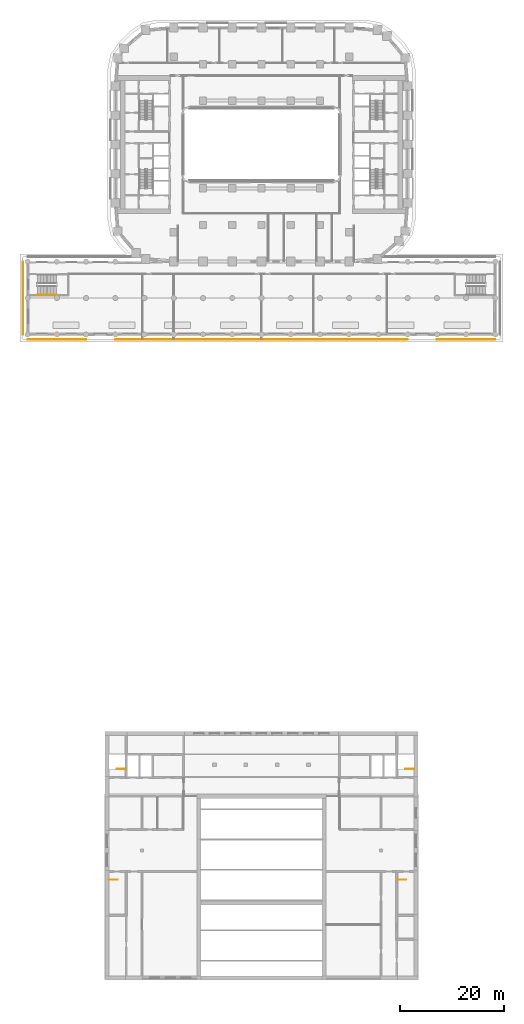
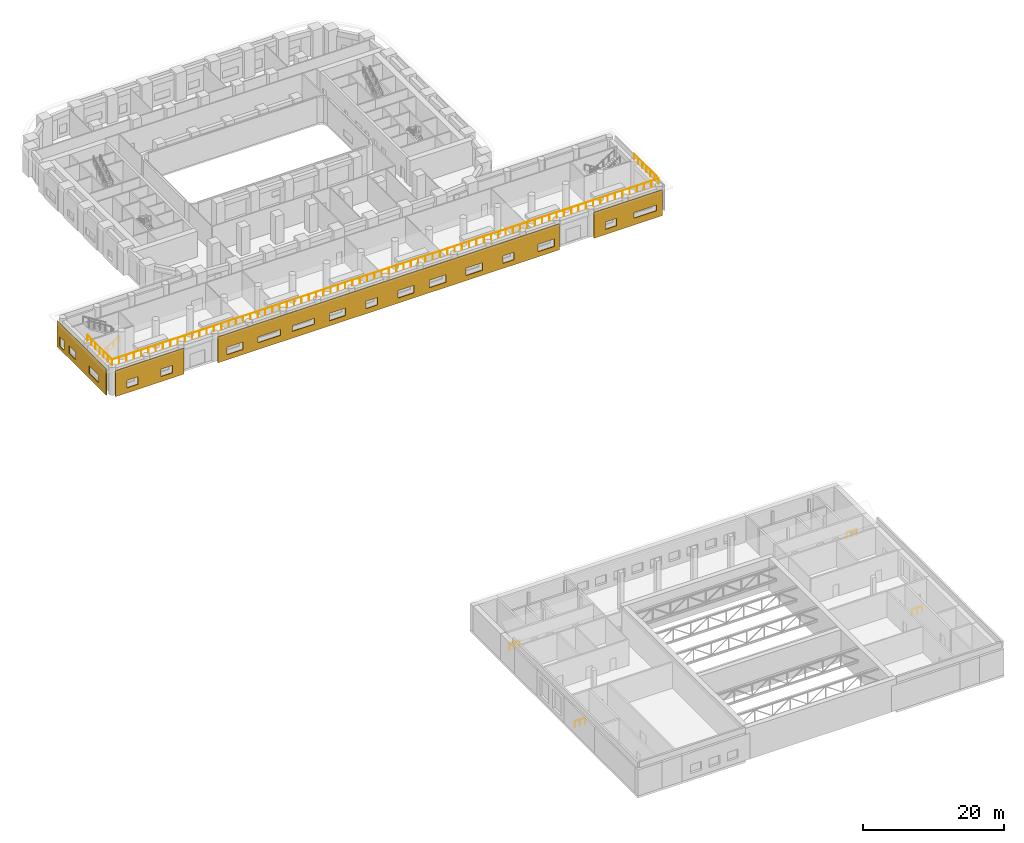
# One storey, part 28 of 35: 6 railings, 4 coverings.
"""IFC4 building model written with IfcOpenShell, lengths in metres."""

import ifcopenshell
import ifcopenshell.guid

model = None  # the IFC model being written
_history = None  # IfcOwnerHistory: only IFC2X3 demands one
_inside = {}  # id of a spatial element -> (the spatial element, [elements in it])
_under = {}  # id of a project, library or spatial element -> (it, [spatial elements below it])
_declared = {}  # id of a project -> (the project, [libraries it declares])
_typed = {}  # id of a type object -> (the type object, [elements of that type])
_made_of = {}  # id of a material, layer set ... -> (it, [elements and type objects made of it])


def new_model(schema):
    """Start an empty IFC model of exactly this schema.

    Asked for "IFC4X3", IfcOpenShell would pick the latest addendum, in which some entities
    have other attributes; the version numbers below select the first issue.
    IFC2X3 requires an IfcOwnerHistory on every rooted entity: one is made here for all.
    """
    global model, _history
    if schema == "IFC4X3":
        model = ifcopenshell.file(schema_version=(4, 3, 0, 0))
    else:
        model = ifcopenshell.file(schema=schema)
    _inside.clear()
    _under.clear()
    _declared.clear()
    _typed.clear()
    _made_of.clear()
    _history = None
    if model.schema == "IFC2X3":
        org = make("IfcOrganization", Name="unknown")
        user = make(
            "IfcPersonAndOrganization",
            ThePerson=make("IfcPerson", FamilyName="unknown"),
            TheOrganization=org,
        )
        app = make(
            "IfcApplication",
            ApplicationDeveloper=org,
            Version="unknown",
            ApplicationFullName="unknown",
            ApplicationIdentifier="unknown",
        )
        _history = make(
            "IfcOwnerHistory",
            OwningUser=user,
            OwningApplication=app,
            ChangeAction="ADDED",
            CreationDate=0,
        )
    return model


def make(cls, **values):
    """One entity of the class cls with the attributes given. An attribute that is None is left unset."""
    return model.create_entity(
        cls, **{name: value for name, value in values.items() if value is not None}
    )


def rooted(cls, **values):
    """An entity with a GlobalId (a new one), such as an element, a storey or a relation."""
    return make(cls, GlobalId=ifcopenshell.guid.new(), OwnerHistory=_history, **values)


def si_unit(unit_type, name, prefix=None):
    """IfcSIUnit, for example si_unit("LENGTHUNIT", "METRE", prefix="MILLI")."""
    return make("IfcSIUnit", UnitType=unit_type, Prefix=prefix, Name=name)


def assignment(units):
    """IfcUnitAssignment: the units of a project."""
    return None if units is None else make("IfcUnitAssignment", Units=units)


def point(xyz):
    """IfcCartesianPoint."""
    return None if xyz is None else make("IfcCartesianPoint", Coordinates=xyz)


def direction(xyz):
    """IfcDirection."""
    return None if xyz is None else make("IfcDirection", DirectionRatios=xyz)


def frame(location, z_axis=None, x_axis=None):
    """IfcAxis2Placement3D, a coordinate frame: its origin and axes. An axis left out is left unset."""
    return make(
        "IfcAxis2Placement3D",
        Location=point(location),
        Axis=direction(z_axis),
        RefDirection=direction(x_axis),
    )


def frame_2d(location, x_axis=None):
    """IfcAxis2Placement2D, a coordinate frame in the plane: its origin and x axis."""
    return make(
        "IfcAxis2Placement2D", Location=point(location), RefDirection=direction(x_axis)
    )


def origin():
    """The frame at (0, 0, 0) with its axes left unset."""
    return frame((0.0, 0.0, 0.0))


def origin_2d():
    """The frame at (0, 0) in the plane with its x axis left unset."""
    return frame_2d((0.0, 0.0))


def place(relative_to, where):
    """IfcLocalPlacement: puts the frame where relative to a parent placement (None: the world)."""
    return make(
        "IfcLocalPlacement", PlacementRelTo=relative_to, RelativePlacement=where
    )


def context(
    kind, dimensions, precision=None, world=None, true_north=None, identifier=None
):
    """IfcGeometricRepresentationContext, for example the 3D "Model" context."""
    return make(
        "IfcGeometricRepresentationContext",
        ContextIdentifier=identifier,
        ContextType=kind,
        CoordinateSpaceDimension=dimensions,
        Precision=precision,
        WorldCoordinateSystem=world,
        TrueNorth=true_north,
    )


def subcontext(parent, identifier, kind, view, scale=None):
    """IfcGeometricRepresentationSubContext, for example "Body" below "Model"."""
    return make(
        "IfcGeometricRepresentationSubContext",
        ContextIdentifier=identifier,
        ContextType=kind,
        ParentContext=parent,
        TargetScale=scale,
        TargetView=view,
    )


def project(units=None, contexts=None):
    """IfcProject with its units and contexts."""
    return rooted(
        "IfcProject",
        Name="project",
        RepresentationContexts=contexts,
        UnitsInContext=assignment(units),
    )


def spatial(cls, under=None, at=None, **own):
    """A site, building, storey or space (cls), placed at a placement, below another one or the project."""
    s = rooted(cls, ObjectPlacement=at, **own)
    if under is not None:
        _under.setdefault(under.id(), (under, []))[1].append(s)
    return s


def polyline(points):
    """IfcPolyline through the points."""
    return make("IfcPolyline", Points=[point(p) for p in points])


def profile(cls, at=None, kind="AREA", **sizes):
    """A parametric profile (cls). Its sizes go by their IFC names, for example OverallWidth=200.0."""
    return make(cls, ProfileType=kind, Position=at, **sizes)


def circle(**sizes):
    """IfcCircleProfileDef."""
    return profile("IfcCircleProfileDef", **sizes)


def outline(outer, holes=None, kind="AREA"):
    """IfcArbitraryClosedProfileDef: a profile drawn as a closed curve; with holes, ...WithVoids."""
    if holes is None:
        return make("IfcArbitraryClosedProfileDef", ProfileType=kind, OuterCurve=outer)
    return make(
        "IfcArbitraryProfileDefWithVoids",
        ProfileType=kind,
        OuterCurve=outer,
        InnerCurves=holes,
    )


def extrude(swept, where, along, depth):
    """IfcExtrudedAreaSolid: the profile swept, set in the frame where, extruded along a direction by depth."""
    return make(
        "IfcExtrudedAreaSolid",
        SweptArea=swept,
        Position=where,
        ExtrudedDirection=direction(along),
        Depth=depth,
    )


def shape(context_of_items, identifier, shape_type, items):
    """IfcShapeRepresentation: the items that make up one representation, for example the "Body"."""
    return make(
        "IfcShapeRepresentation",
        ContextOfItems=context_of_items,
        RepresentationIdentifier=identifier,
        RepresentationType=shape_type,
        Items=items,
    )


def material(Name=None, Category=None):
    """IfcMaterial."""
    return make("IfcMaterial", Name=Name, Category=Category)


def layer(
    of_material, thickness, ventilated=None, Name=None, Category=None, Priority=None
):
    """IfcMaterialLayer: one layer of a wall or slab, of a material (None: an air gap)."""
    return make(
        "IfcMaterialLayer",
        Material=of_material,
        LayerThickness=thickness,
        IsVentilated=ventilated,
        Name=Name,
        Category=Category,
        Priority=Priority,
    )


def layer_set(layers, Name=None):
    """IfcMaterialLayerSet."""
    return make("IfcMaterialLayerSet", MaterialLayers=layers, LayerSetName=Name)


def made_of(thing, what):
    """Note that an element or type object is made of a material, layer set ...; save() writes the relation."""
    if what is not None:
        _made_of.setdefault(what.id(), (what, []))[1].append(thing)
    return thing


def type_object(cls, material=None, **own):
    """A type object (cls), such as IfcWallType, which elements share."""
    return made_of(rooted(cls, **own), material)


def element(
    cls,
    number,
    at=None,
    inside=None,
    cuts=None,
    type_object=None,
    material=None,
    context=None,
    identifier="Body",
    shape_type=None,
    held_by="IfcProductDefinitionShape",
    body=None,
    shapes=None,
    **own,
):
    """One element of the class cls, such as IfcWall. Its Tag is "e" and its number.

    at: its placement. inside: the storey or other place that contains it. cuts: it is an
    opening in that element (IfcRelVoidsElement). A single representation is given by context,
    identifier, shape_type and body (its items); several are given by shapes. held_by: the class
    of the entity that holds the representations. save() writes the other relations.
    """
    e = rooted(cls, Tag="e%d" % number, ObjectPlacement=at, **own)
    if body is not None:
        shapes = [shape(context, identifier, shape_type, body)]
    if shapes is not None:
        e.Representation = make(held_by, Representations=shapes)
    if inside is not None:
        _inside.setdefault(inside.id(), (inside, []))[1].append(e)
    if cuts is not None:
        rooted(
            "IfcRelVoidsElement", RelatingBuildingElement=cuts, RelatedOpeningElement=e
        )
    if type_object is not None:
        _typed.setdefault(type_object.id(), (type_object, []))[1].append(e)
    return made_of(e, material)


def aggregate(whole, parts):
    """IfcRelAggregates: a whole, such as a stair, and the parts it consists of."""
    return rooted("IfcRelAggregates", RelatingObject=whole, RelatedObjects=parts)


def save(model, path):
    """Write the relations noted so far, then the file.

    IfcRelAggregates (storeys below a building ...), IfcRelContainedInSpatialStructure (elements
    in a storey), IfcRelDefinesByType, IfcRelAssociatesMaterial and IfcRelDeclares: one each for
    every whole, place, type object, material and project.
    """
    for whole, parts in _under.values():
        aggregate(whole, parts)
    for where, things in _inside.values():
        rooted(
            "IfcRelContainedInSpatialStructure",
            RelatedElements=things,
            RelatingStructure=where,
        )
    for kind, things in _typed.values():
        rooted("IfcRelDefinesByType", RelatedObjects=things, RelatingType=kind)
    for what, things in _made_of.values():
        rooted("IfcRelAssociatesMaterial", RelatedObjects=things, RelatingMaterial=what)
    for by, libraries in _declared.values():
        rooted("IfcRelDeclares", RelatingContext=by, RelatedDefinitions=libraries)
    model.write(path)


model = new_model("IFC4")

# Units and contexts
model_context = context("Model", 3, precision=1e-05, world=origin(), true_north=direction((0.0, 1.0)))
body_context = subcontext(model_context, "Body", "Model", "MODEL_VIEW")
ifc_project = project(units=[si_unit("LENGTHUNIT", "METRE"), si_unit("AREAUNIT", "SQUARE_METRE"), si_unit("VOLUMEUNIT", "CUBIC_METRE"), si_unit("PLANEANGLEUNIT", "RADIAN"), si_unit("MASSUNIT", "GRAM", prefix="KILO")], contexts=[model_context])

# Site, building, storey
site_placement = place(None, origin())
site = spatial("IfcSite", under=ifc_project, at=site_placement, CompositionType="ELEMENT")
building_placement = place(site_placement, origin())
building = spatial("IfcBuilding", under=site, at=building_placement, Name="Kiln Ring Residences", CompositionType="ELEMENT")
storey_placement = place(building_placement, frame((0.0, 0.0, 20.89990234375)))
storey = spatial("IfcBuildingStorey", under=building, at=storey_placement, Name="L04", CompositionType="ELEMENT", Elevation=20.89990234375)

# Railings
ifc_material_1 = material(Name="Stainless steel", Category="steel")
railing_type_1 = type_object("IfcRailingType", Name="Hall stair guard 1100", PredefinedType="GUARDRAIL", material=ifc_material_1)
for number, where, name in (
    (1, (-26.050048828125, -119.60009765625, 0.0), "L04 HALL.ST1 top well guard 1"),
    (2, (29.199951171875, -119.60009765625, 0.0), "L04 HALL.ST2 top well guard 1"),
):
    element("IfcRailing", number, at=place(storey_placement, frame(where)), inside=storey, type_object=railing_type_1, Name=name, PredefinedType="GUARDRAIL", context=body_context, shape_type="SweptSolid", body=[
        extrude(circle(Radius=0.02392578125, at=origin_2d()), frame((0.0, 0.0, 1.076171875), z_axis=(-1.0, 0.0, 0.0), x_axis=(0.0, -1.0, 0.0)), (0.0, 0.0, 1.0), 1.64990234375),
        extrude(circle(Radius=0.02099609375, at=origin_2d()), origin(), (0.0, 0.0, 1.0), 1.052001953125),
        extrude(circle(Radius=0.02099609375, at=origin_2d()), frame((-0.824951171875, 0.0, 0.0)), (0.0, 0.0, 1.0), 1.052001953125),
        extrude(circle(Radius=0.02099609375, at=origin_2d()), frame((-1.64990234375, 0.0, 0.0)), (0.0, 0.0, 1.0), 1.052001953125),
    ])
for number, where, name in (
    (3, (-29.199951171875, -140.800048828125, 0.0), "L04 HALL.ST3 top well guard 1"),
    (4, (26.050048828125, -140.800048828125, 0.0), "L04 HALL.ST4 top well guard 1"),
):
    element("IfcRailing", number, at=place(storey_placement, frame(where)), inside=storey, type_object=railing_type_1, Name=name, PredefinedType="GUARDRAIL", context=body_context, shape_type="SweptSolid", body=[
        extrude(circle(Radius=0.02392578125, at=origin_2d()), frame((0.0, 0.0, 1.076171875), z_axis=(1.0, 0.0, 0.0), x_axis=(0.0, 1.0, 0.0)), (0.0, 0.0, 1.0), 1.64990234375),
        extrude(circle(Radius=0.02099609375, at=origin_2d()), origin(), (0.0, 0.0, 1.0), 1.052001953125),
        extrude(circle(Radius=0.02099609375, at=origin_2d()), frame((0.824951171875, 0.0, 0.0)), (0.0, 0.0, 1.0), 1.052001953125),
        extrude(circle(Radius=0.02099609375, at=origin_2d()), frame((1.64990234375, 0.0, 0.0)), (0.0, 0.0, 1.0), 1.052001953125),
    ])
ifc_material_2 = material(Name="Stainless steel", Category="steel")
railing_type_2 = type_object("IfcRailingType", Name="PODIUM-STAIR-HANDRAIL", PredefinedType="HANDRAIL", material=ifc_material_2)
railing_1_placement = place(storey_placement, frame((-42.89990234375, -28.75, 0.171630859375)))
element("IfcRailing", 5, at=railing_1_placement, inside=storey, type_object=railing_type_2, Name="L04 PS-W stair handrail 1", PredefinedType="HANDRAIL", context=body_context, shape_type="SweptSolid", body=[
    extrude(circle(Radius=0.02392578125, at=origin_2d()), frame((0.0, 0.0, 0.8759765625), z_axis=(0.852850264322, 0.0, 0.5221555579), x_axis=(0.0, 1.0, 0.0)), (0.0, 0.0, 1.0), 4.267822265625),
    extrude(circle(Radius=0.02099609375, at=origin_2d()), origin(), (0.0, 0.0, 1.0), 0.851806640625),
    extrude(circle(Radius=0.02099609375, at=origin_2d()), frame((0.909912109375, 0.0, 0.55712890625)), (0.0, 0.0, 1.0), 0.851806640625),
    extrude(circle(Radius=0.02099609375, at=origin_2d()), frame((1.81982421875, 0.0, 1.1142578125)), (0.0, 0.0, 1.0), 0.851806640625),
    extrude(circle(Radius=0.02099609375, at=origin_2d()), frame((2.72998046875, 0.0, 1.67138671875)), (0.0, 0.0, 1.0), 0.851806640625),
    extrude(circle(Radius=0.02099609375, at=origin_2d()), frame((3.639892578125, 0.0, 2.228515625)), (0.0, 0.0, 1.0), 0.851806640625),
])

# Coverings
ifc_material_3 = material(Name="Brick masonry, dark clay brick", Category="masonry")
ifc_layer = layer(ifc_material_3, 0.1201171875)
ifc_layer_set = layer_set([ifc_layer], Name="RAINSCREEN PANEL 120")
covering_type = type_object("IfcCoveringType", Name="RAINSCREEN PANEL 120", PredefinedType="CLADDING", material=ifc_layer_set)
covering_1_placement = place(storey_placement, frame((-45.7099609375, -22.39990234375, 0.0), z_axis=(0.0, 0.0, 1.0), x_axis=(0.0, -1.0, 0.0)))
element("IfcCovering", 6, at=covering_1_placement, inside=storey, type_object=covering_type, Name="RAINSCREEN L04", PredefinedType="CLADDING", context=body_context, shape_type="SweptSolid", body=[
    extrude(outline(polyline([(0.0, 0.0), (14.0, 0.0), (14.0, 4.5), (0.0, 4.5), (0.0, 0.0)]), holes=[polyline([(2.032470703125, 2.170166015625), (0.79248046875, 2.170166015625), (0.79248046875, 0.580078125), (2.032470703125, 0.580078125), (2.032470703125, 2.170166015625)]), polyline([(5.3701171875, 0.880126953125), (5.3701171875, 2.170166015625), (3.530029296875, 2.170166015625), (3.530029296875, 0.880126953125), (5.3701171875, 0.880126953125)]), polyline([(11.820068359375, 0.880126953125), (11.820068359375, 2.170166015625), (9.179931640625, 2.170166015625), (9.179931640625, 0.880126953125), (11.820068359375, 0.880126953125)])]), frame((0.0, 0.06005859375, 0.0), z_axis=(0.0, -1.0, 0.0), x_axis=(1.0, 0.0, 0.0)), (0.0, 0.0, 1.0), 0.1201171875),
])
covering_2_placement = place(storey_placement, frame((-44.800048828125, -37.31005859375, 0.0), z_axis=(0.0, 0.0, 1.0), x_axis=(1.0, 0.0, 0.0)))
element("IfcCovering", 7, at=covering_2_placement, inside=storey, type_object=covering_type, Name="RAINSCREEN L04", PredefinedType="CLADDING", context=body_context, shape_type="SweptSolid", body=[
    extrude(outline(polyline([(0.0, 0.0), (11.199951171875, 0.0), (11.199951171875, 4.5), (0.0, 4.5), (0.0, 0.0)]), holes=[polyline([(3.719970703125, 2.170166015625), (1.8798828125, 2.170166015625), (1.8798828125, 0.880126953125), (3.719970703125, 0.880126953125), (3.719970703125, 2.170166015625)]), polyline([(9.320068359375, 2.170166015625), (7.47998046875, 2.170166015625), (7.47998046875, 0.880126953125), (9.320068359375, 0.880126953125), (9.320068359375, 2.170166015625)])]), frame((0.0, 0.06005859375, 0.0), z_axis=(0.0, -1.0, 0.0), x_axis=(1.0, 0.0, 0.0)), (0.0, 0.0, 1.0), 0.1201171875),
])
covering_3_placement = place(storey_placement, frame((-28.0, -37.31005859375, 0.0), z_axis=(0.0, 0.0, 1.0), x_axis=(1.0, 0.0, 0.0)))
element("IfcCovering", 8, at=covering_3_placement, inside=storey, type_object=covering_type, Name="RAINSCREEN L04", PredefinedType="CLADDING", context=body_context, shape_type="SweptSolid", body=[
    extrude(outline(polyline([(0.0, 0.0), (56.0, 0.0), (56.0, 4.5), (0.0, 4.5), (0.0, 0.0)]), holes=[polyline([(1.47998046875, 0.880126953125), (4.1201171875, 0.880126953125), (4.1201171875, 2.170166015625), (1.47998046875, 2.170166015625), (1.47998046875, 0.880126953125)]), polyline([(18.280029296875, 0.880126953125), (20.919921875, 0.880126953125), (20.919921875, 2.170166015625), (18.280029296875, 2.170166015625), (18.280029296875, 0.880126953125)]), polyline([(24.280029296875, 0.880126953125), (26.1201171875, 0.880126953125), (26.1201171875, 2.170166015625), (24.280029296875, 2.170166015625), (24.280029296875, 0.880126953125)]), polyline([(29.47998046875, 2.170166015625), (29.47998046875, 0.880126953125), (32.1201171875, 0.880126953125), (32.1201171875, 2.170166015625), (29.47998046875, 2.170166015625)]), polyline([(34.6923828125, 2.170166015625), (34.6923828125, 0.880126953125), (37.33251953125, 0.880126953125), (37.33251953125, 2.170166015625), (34.6923828125, 2.170166015625)]), polyline([(40.679931640625, 0.880126953125), (43.320068359375, 0.880126953125), (43.320068359375, 2.170166015625), (40.679931640625, 2.170166015625), (40.679931640625, 0.880126953125)]), polyline([(46.679931640625, 0.880126953125), (48.52001953125, 0.880126953125), (48.52001953125, 2.170166015625), (46.679931640625, 2.170166015625), (46.679931640625, 0.880126953125)]), polyline([(52.467529296875, 0.880126953125), (55.107421875, 0.880126953125), (55.107421875, 2.170166015625), (52.467529296875, 2.170166015625), (52.467529296875, 0.880126953125)]), polyline([(6.580078125, 2.170166015625), (6.580078125, 1.18017578125), (10.219970703125, 1.18017578125), (10.219970703125, 2.170166015625), (6.580078125, 2.170166015625)]), polyline([(12.179931640625, 2.170166015625), (12.179931640625, 1.18017578125), (15.820068359375, 1.18017578125), (15.820068359375, 2.170166015625), (12.179931640625, 2.170166015625)])]), frame((0.0, 0.06005859375, 0.0), z_axis=(0.0, -1.0, 0.0), x_axis=(1.0, 0.0, 0.0)), (0.0, 0.0, 1.0), 0.1201171875),
])
covering_4_placement = place(storey_placement, frame((33.60009765625, -37.31005859375, 0.0), z_axis=(0.0, 0.0, 1.0), x_axis=(1.0, 0.0, 0.0)))
element("IfcCovering", 9, at=covering_4_placement, inside=storey, type_object=covering_type, Name="RAINSCREEN L04", PredefinedType="CLADDING", context=body_context, shape_type="SweptSolid", body=[
    extrude(outline(polyline([(0.0, 0.0), (11.199951171875, 0.0), (11.199951171875, 4.5), (0.0, 4.5), (0.0, 0.0)]), holes=[polyline([(3.719970703125, 2.170166015625), (1.8798828125, 2.170166015625), (1.8798828125, 0.880126953125), (3.719970703125, 0.880126953125), (3.719970703125, 2.170166015625)]), polyline([(10.219970703125, 2.170166015625), (6.580078125, 2.170166015625), (6.580078125, 1.18017578125), (10.219970703125, 1.18017578125), (10.219970703125, 2.170166015625)])]), frame((0.0, 0.06005859375, 0.0), z_axis=(0.0, -1.0, 0.0), x_axis=(1.0, 0.0, 0.0)), (0.0, 0.0, 1.0), 0.1201171875),
])

# Railing
ifc_material_4 = material(Name="Black powder-coated steel", Category="steel")
railing_type_3 = type_object("IfcRailingType", Name="TERRACE GUARD 1100", PredefinedType="GUARDRAIL", material=ifc_material_4)
railing_2_placement = place(storey_placement, frame((-44.800048828125, -29.39990234375, 4.800048828125)))
element("IfcRailing", 10, at=railing_2_placement, inside=storey, type_object=railing_type_3, Name="GUARD terrace L04", PredefinedType="GUARDRAIL", context=body_context, shape_type="SweptSolid", body=[
    extrude(circle(Radius=0.02392578125, at=origin_2d()), frame((0.0, 0.0, 1.076171875), z_axis=(0.0, -1.0, 0.0), x_axis=(1.0, 0.0, 0.0)), (0.0, 0.0, 1.0), 7.0),
    extrude(circle(Radius=0.02392578125, at=origin_2d()), frame((0.0, -7.0, 1.076171875), z_axis=(1.0, 0.0, 0.0), x_axis=(0.0, 1.0, 0.0)), (0.0, 0.0, 1.0), 89.60009765625),
    extrude(circle(Radius=0.02392578125, at=origin_2d()), frame((89.60009765625, -7.0, 1.076171875), z_axis=(0.0, 1.0, 0.0), x_axis=(-1.0, 0.0, 0.0)), (0.0, 0.0, 1.0), 7.0),
    extrude(circle(Radius=0.02099609375, at=origin_2d()), origin(), (0.0, 0.0, 1.0), 1.052001953125),
    extrude(circle(Radius=0.02099609375, at=origin_2d()), frame((0.0, -1.166748046875, 0.0)), (0.0, 0.0, 1.0), 1.052001953125),
    extrude(circle(Radius=0.02099609375, at=origin_2d()), frame((0.0, -2.333251953125, 0.0)), (0.0, 0.0, 1.0), 1.052001953125),
    extrude(circle(Radius=0.02099609375, at=origin_2d()), frame((0.0, -3.5, 0.0)), (0.0, 0.0, 1.0), 1.052001953125),
    extrude(circle(Radius=0.02099609375, at=origin_2d()), frame((0.0, -4.666748046875, 0.0)), (0.0, 0.0, 1.0), 1.052001953125),
    extrude(circle(Radius=0.02099609375, at=origin_2d()), frame((0.0, -5.833251953125, 0.0)), (0.0, 0.0, 1.0), 1.052001953125),
    extrude(circle(Radius=0.02099609375, at=origin_2d()), frame((0.0, -7.0, 0.0)), (0.0, 0.0, 1.0), 1.052001953125),
    extrude(circle(Radius=0.02099609375, at=origin_2d()), frame((1.194580078125, -7.0, 0.0)), (0.0, 0.0, 1.0), 1.052001953125),
    extrude(circle(Radius=0.02099609375, at=origin_2d()), frame((2.389404296875, -7.0, 0.0)), (0.0, 0.0, 1.0), 1.052001953125),
    extrude(circle(Radius=0.02099609375, at=origin_2d()), frame((3.583984375, -7.0, 0.0)), (0.0, 0.0, 1.0), 1.052001953125),
    extrude(circle(Radius=0.02099609375, at=origin_2d()), frame((4.778564453125, -7.0, 0.0)), (0.0, 0.0, 1.0), 1.052001953125),
    extrude(circle(Radius=0.02099609375, at=origin_2d()), frame((5.973388671875, -7.0, 0.0)), (0.0, 0.0, 1.0), 1.052001953125),
    extrude(circle(Radius=0.02099609375, at=origin_2d()), frame((7.16796875, -7.0, 0.0)), (0.0, 0.0, 1.0), 1.052001953125),
    extrude(circle(Radius=0.02099609375, at=origin_2d()), frame((8.36279296875, -7.0, 0.0)), (0.0, 0.0, 1.0), 1.052001953125),
    extrude(circle(Radius=0.02099609375, at=origin_2d()), frame((9.557373046875, -7.0, 0.0)), (0.0, 0.0, 1.0), 1.052001953125),
    extrude(circle(Radius=0.02099609375, at=origin_2d()), frame((10.751953125, -7.0, 0.0)), (0.0, 0.0, 1.0), 1.052001953125),
    extrude(circle(Radius=0.02099609375, at=origin_2d()), frame((11.94677734375, -7.0, 0.0)), (0.0, 0.0, 1.0), 1.052001953125),
    extrude(circle(Radius=0.02099609375, at=origin_2d()), frame((13.141357421875, -7.0, 0.0)), (0.0, 0.0, 1.0), 1.052001953125),
    extrude(circle(Radius=0.02099609375, at=origin_2d()), frame((14.3359375, -7.0, 0.0)), (0.0, 0.0, 1.0), 1.052001953125),
    extrude(circle(Radius=0.02099609375, at=origin_2d()), frame((15.53076171875, -7.0, 0.0)), (0.0, 0.0, 1.0), 1.052001953125),
    extrude(circle(Radius=0.02099609375, at=origin_2d()), frame((16.725341796875, -7.0, 0.0)), (0.0, 0.0, 1.0), 1.052001953125),
    extrude(circle(Radius=0.02099609375, at=origin_2d()), frame((17.919921875, -7.0, 0.0)), (0.0, 0.0, 1.0), 1.052001953125),
    extrude(circle(Radius=0.02099609375, at=origin_2d()), frame((19.11474609375, -7.0, 0.0)), (0.0, 0.0, 1.0), 1.052001953125),
    extrude(circle(Radius=0.02099609375, at=origin_2d()), frame((20.309326171875, -7.0, 0.0)), (0.0, 0.0, 1.0), 1.052001953125),
    extrude(circle(Radius=0.02099609375, at=origin_2d()), frame((21.50390625, -7.0, 0.0)), (0.0, 0.0, 1.0), 1.052001953125),
    extrude(circle(Radius=0.02099609375, at=origin_2d()), frame((22.69873046875, -7.0, 0.0)), (0.0, 0.0, 1.0), 1.052001953125),
    extrude(circle(Radius=0.02099609375, at=origin_2d()), frame((23.893310546875, -7.0, 0.0)), (0.0, 0.0, 1.0), 1.052001953125),
    extrude(circle(Radius=0.02099609375, at=origin_2d()), frame((25.088134765625, -7.0, 0.0)), (0.0, 0.0, 1.0), 1.052001953125),
    extrude(circle(Radius=0.02099609375, at=origin_2d()), frame((26.28271484375, -7.0, 0.0)), (0.0, 0.0, 1.0), 1.052001953125),
    extrude(circle(Radius=0.02099609375, at=origin_2d()), frame((27.477294921875, -7.0, 0.0)), (0.0, 0.0, 1.0), 1.052001953125),
    extrude(circle(Radius=0.02099609375, at=origin_2d()), frame((28.672119140625, -7.0, 0.0)), (0.0, 0.0, 1.0), 1.052001953125),
    extrude(circle(Radius=0.02099609375, at=origin_2d()), frame((29.86669921875, -7.0, 0.0)), (0.0, 0.0, 1.0), 1.052001953125),
    extrude(circle(Radius=0.02099609375, at=origin_2d()), frame((31.061279296875, -7.0, 0.0)), (0.0, 0.0, 1.0), 1.052001953125),
    extrude(circle(Radius=0.02099609375, at=origin_2d()), frame((32.256103515625, -7.0, 0.0)), (0.0, 0.0, 1.0), 1.052001953125),
    extrude(circle(Radius=0.02099609375, at=origin_2d()), frame((33.45068359375, -7.0, 0.0)), (0.0, 0.0, 1.0), 1.052001953125),
    extrude(circle(Radius=0.02099609375, at=origin_2d()), frame((34.645263671875, -7.0, 0.0)), (0.0, 0.0, 1.0), 1.052001953125),
    extrude(circle(Radius=0.02099609375, at=origin_2d()), frame((35.840087890625, -7.0, 0.0)), (0.0, 0.0, 1.0), 1.052001953125),
    extrude(circle(Radius=0.02099609375, at=origin_2d()), frame((37.03466796875, -7.0, 0.0)), (0.0, 0.0, 1.0), 1.052001953125),
    extrude(circle(Radius=0.02099609375, at=origin_2d()), frame((38.2294921875, -7.0, 0.0)), (0.0, 0.0, 1.0), 1.052001953125),
    extrude(circle(Radius=0.02099609375, at=origin_2d()), frame((39.424072265625, -7.0, 0.0)), (0.0, 0.0, 1.0), 1.052001953125),
    extrude(circle(Radius=0.02099609375, at=origin_2d()), frame((40.61865234375, -7.0, 0.0)), (0.0, 0.0, 1.0), 1.052001953125),
    extrude(circle(Radius=0.02099609375, at=origin_2d()), frame((41.8134765625, -7.0, 0.0)), (0.0, 0.0, 1.0), 1.052001953125),
    extrude(circle(Radius=0.02099609375, at=origin_2d()), frame((43.008056640625, -7.0, 0.0)), (0.0, 0.0, 1.0), 1.052001953125),
    extrude(circle(Radius=0.02099609375, at=origin_2d()), frame((44.20263671875, -7.0, 0.0)), (0.0, 0.0, 1.0), 1.052001953125),
    extrude(circle(Radius=0.02099609375, at=origin_2d()), frame((45.3974609375, -7.0, 0.0)), (0.0, 0.0, 1.0), 1.052001953125),
    extrude(circle(Radius=0.02099609375, at=origin_2d()), frame((46.592041015625, -7.0, 0.0)), (0.0, 0.0, 1.0), 1.052001953125),
    extrude(circle(Radius=0.02099609375, at=origin_2d()), frame((47.78662109375, -7.0, 0.0)), (0.0, 0.0, 1.0), 1.052001953125),
    extrude(circle(Radius=0.02099609375, at=origin_2d()), frame((48.9814453125, -7.0, 0.0)), (0.0, 0.0, 1.0), 1.052001953125),
    extrude(circle(Radius=0.02099609375, at=origin_2d()), frame((50.176025390625, -7.0, 0.0)), (0.0, 0.0, 1.0), 1.052001953125),
    extrude(circle(Radius=0.02099609375, at=origin_2d()), frame((51.37060546875, -7.0, 0.0)), (0.0, 0.0, 1.0), 1.052001953125),
    extrude(circle(Radius=0.02099609375, at=origin_2d()), frame((52.5654296875, -7.0, 0.0)), (0.0, 0.0, 1.0), 1.052001953125),
    extrude(circle(Radius=0.02099609375, at=origin_2d()), frame((53.760009765625, -7.0, 0.0)), (0.0, 0.0, 1.0), 1.052001953125),
    extrude(circle(Radius=0.02099609375, at=origin_2d()), frame((54.954833984375, -7.0, 0.0)), (0.0, 0.0, 1.0), 1.052001953125),
    extrude(circle(Radius=0.02099609375, at=origin_2d()), frame((56.1494140625, -7.0, 0.0)), (0.0, 0.0, 1.0), 1.052001953125),
    extrude(circle(Radius=0.02099609375, at=origin_2d()), frame((57.343994140625, -7.0, 0.0)), (0.0, 0.0, 1.0), 1.052001953125),
    extrude(circle(Radius=0.02099609375, at=origin_2d()), frame((58.538818359375, -7.0, 0.0)), (0.0, 0.0, 1.0), 1.052001953125),
    extrude(circle(Radius=0.02099609375, at=origin_2d()), frame((59.7333984375, -7.0, 0.0)), (0.0, 0.0, 1.0), 1.052001953125),
    extrude(circle(Radius=0.02099609375, at=origin_2d()), frame((60.927978515625, -7.0, 0.0)), (0.0, 0.0, 1.0), 1.052001953125),
    extrude(circle(Radius=0.02099609375, at=origin_2d()), frame((62.122802734375, -7.0, 0.0)), (0.0, 0.0, 1.0), 1.052001953125),
    extrude(circle(Radius=0.02099609375, at=origin_2d()), frame((63.3173828125, -7.0, 0.0)), (0.0, 0.0, 1.0), 1.052001953125),
    extrude(circle(Radius=0.02099609375, at=origin_2d()), frame((64.511962890625, -7.0, 0.0)), (0.0, 0.0, 1.0), 1.052001953125),
    extrude(circle(Radius=0.02099609375, at=origin_2d()), frame((65.706787109375, -7.0, 0.0)), (0.0, 0.0, 1.0), 1.052001953125),
    extrude(circle(Radius=0.02099609375, at=origin_2d()), frame((66.9013671875, -7.0, 0.0)), (0.0, 0.0, 1.0), 1.052001953125),
    extrude(circle(Radius=0.02099609375, at=origin_2d()), frame((68.09619140625, -7.0, 0.0)), (0.0, 0.0, 1.0), 1.052001953125),
    extrude(circle(Radius=0.02099609375, at=origin_2d()), frame((69.290771484375, -7.0, 0.0)), (0.0, 0.0, 1.0), 1.052001953125),
    extrude(circle(Radius=0.02099609375, at=origin_2d()), frame((70.4853515625, -7.0, 0.0)), (0.0, 0.0, 1.0), 1.052001953125),
    extrude(circle(Radius=0.02099609375, at=origin_2d()), frame((71.68017578125, -7.0, 0.0)), (0.0, 0.0, 1.0), 1.052001953125),
    extrude(circle(Radius=0.02099609375, at=origin_2d()), frame((72.874755859375, -7.0, 0.0)), (0.0, 0.0, 1.0), 1.052001953125),
    extrude(circle(Radius=0.02099609375, at=origin_2d()), frame((74.0693359375, -7.0, 0.0)), (0.0, 0.0, 1.0), 1.052001953125),
    extrude(circle(Radius=0.02099609375, at=origin_2d()), frame((75.26416015625, -7.0, 0.0)), (0.0, 0.0, 1.0), 1.052001953125),
    extrude(circle(Radius=0.02099609375, at=origin_2d()), frame((76.458740234375, -7.0, 0.0)), (0.0, 0.0, 1.0), 1.052001953125),
    extrude(circle(Radius=0.02099609375, at=origin_2d()), frame((77.6533203125, -7.0, 0.0)), (0.0, 0.0, 1.0), 1.052001953125),
    extrude(circle(Radius=0.02099609375, at=origin_2d()), frame((78.84814453125, -7.0, 0.0)), (0.0, 0.0, 1.0), 1.052001953125),
    extrude(circle(Radius=0.02099609375, at=origin_2d()), frame((80.042724609375, -7.0, 0.0)), (0.0, 0.0, 1.0), 1.052001953125),
    extrude(circle(Radius=0.02099609375, at=origin_2d()), frame((81.2373046875, -7.0, 0.0)), (0.0, 0.0, 1.0), 1.052001953125),
    extrude(circle(Radius=0.02099609375, at=origin_2d()), frame((82.43212890625, -7.0, 0.0)), (0.0, 0.0, 1.0), 1.052001953125),
    extrude(circle(Radius=0.02099609375, at=origin_2d()), frame((83.626708984375, -7.0, 0.0)), (0.0, 0.0, 1.0), 1.052001953125),
    extrude(circle(Radius=0.02099609375, at=origin_2d()), frame((84.821533203125, -7.0, 0.0)), (0.0, 0.0, 1.0), 1.052001953125),
    extrude(circle(Radius=0.02099609375, at=origin_2d()), frame((86.01611328125, -7.0, 0.0)), (0.0, 0.0, 1.0), 1.052001953125),
    extrude(circle(Radius=0.02099609375, at=origin_2d()), frame((87.210693359375, -7.0, 0.0)), (0.0, 0.0, 1.0), 1.052001953125),
    extrude(circle(Radius=0.02099609375, at=origin_2d()), frame((88.405517578125, -7.0, 0.0)), (0.0, 0.0, 1.0), 1.052001953125),
    extrude(circle(Radius=0.02099609375, at=origin_2d()), frame((89.60009765625, -7.0, 0.0)), (0.0, 0.0, 1.0), 1.052001953125),
    extrude(circle(Radius=0.02099609375, at=origin_2d()), frame((89.60009765625, -5.833251953125, 0.0)), (0.0, 0.0, 1.0), 1.052001953125),
    extrude(circle(Radius=0.02099609375, at=origin_2d()), frame((89.60009765625, -4.666748046875, 0.0)), (0.0, 0.0, 1.0), 1.052001953125),
    extrude(circle(Radius=0.02099609375, at=origin_2d()), frame((89.60009765625, -3.5, 0.0)), (0.0, 0.0, 1.0), 1.052001953125),
    extrude(circle(Radius=0.02099609375, at=origin_2d()), frame((89.60009765625, -2.333251953125, 0.0)), (0.0, 0.0, 1.0), 1.052001953125),
    extrude(circle(Radius=0.02099609375, at=origin_2d()), frame((89.60009765625, -1.166748046875, 0.0)), (0.0, 0.0, 1.0), 1.052001953125),
    extrude(circle(Radius=0.02099609375, at=origin_2d()), frame((89.60009765625, 0.0, 0.0)), (0.0, 0.0, 1.0), 1.052001953125),
])

save(model, "model.ifc")
